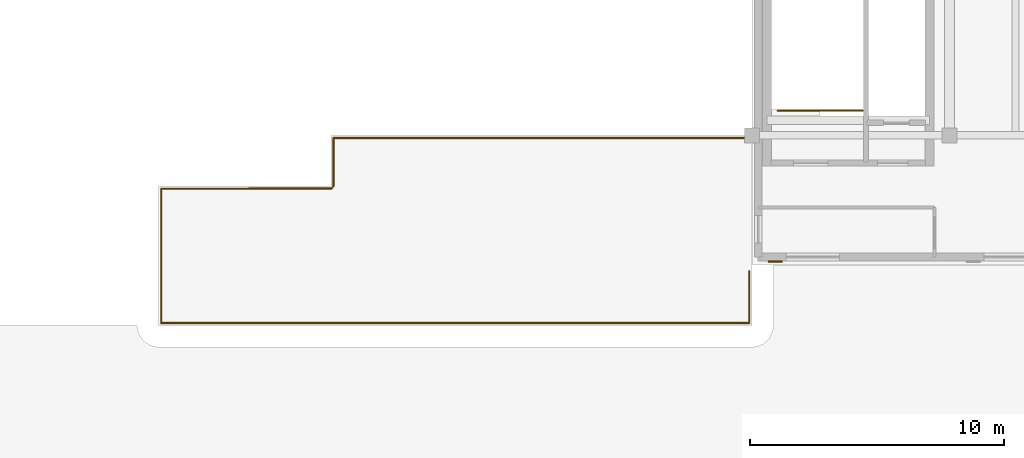
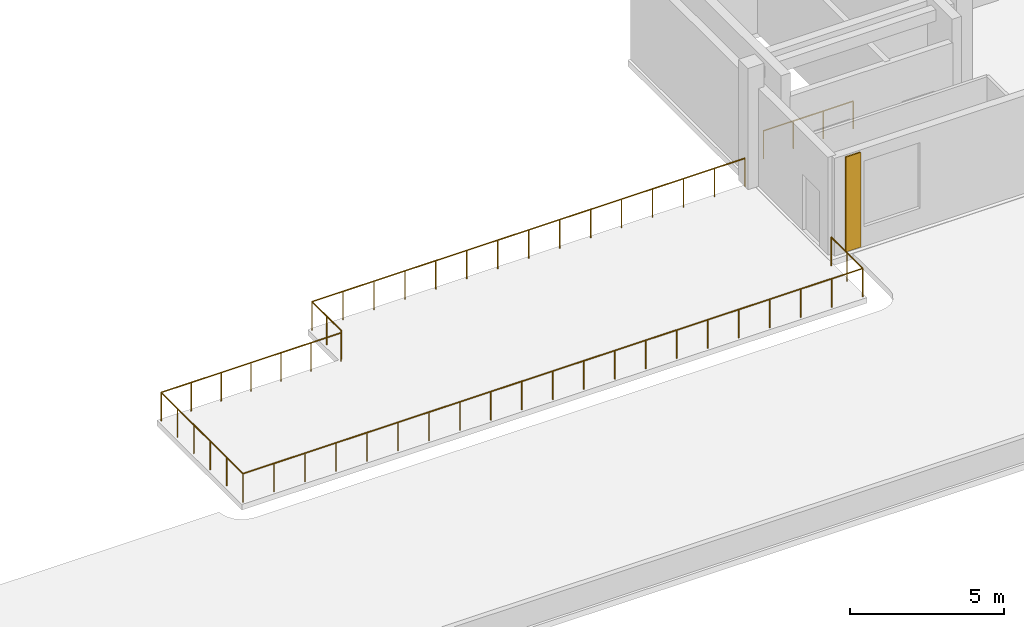
# One storey, part 66 of 69: 3 railings, 1 covering.
"""IFC4 building model written with IfcOpenShell, lengths in metres."""

from ifc_helpers import new_model, si_unit, direction, frame, origin, origin_2d, place, context, subcontext, project, spatial, rectangle, circle, extrude, material, layer, layer_set, type_object, element, save


model = new_model("IFC4")

# Units and contexts
model_context = context("Model", 3, precision=1e-05, world=origin(), true_north=direction((0.0, 1.0)))
body_context = subcontext(model_context, "Body", "Model", "MODEL_VIEW")
ifc_project = project(units=[si_unit("LENGTHUNIT", "METRE"), si_unit("AREAUNIT", "SQUARE_METRE"), si_unit("VOLUMEUNIT", "CUBIC_METRE"), si_unit("PLANEANGLEUNIT", "RADIAN"), si_unit("MASSUNIT", "GRAM", prefix="KILO")], contexts=[model_context])

# Site, building, storey
site_placement = place(None, origin())
site = spatial("IfcSite", under=ifc_project, at=site_placement, CompositionType="ELEMENT")
building_placement = place(site_placement, origin())
building = spatial("IfcBuilding", under=site, at=building_placement, Name="Pelvatis Terrace Science Centre", CompositionType="ELEMENT")
storey_placement = place(building_placement, frame((0.0, 0.0, 15.0)))
storey = spatial("IfcBuildingStorey", under=building, at=storey_placement, Name="L03", CompositionType="ELEMENT", Elevation=15.0)

# Covering
ifc_material_1 = material(Name="Fluted warm stone-aggregate precast facade relief panel", Category="masonry")
ifc_layer = layer(ifc_material_1, 0.054931640625)
ifc_layer_set = layer_set([ifc_layer], Name="Fluted warm stone-aggregate precast facade relief panel")
covering_type = type_object("IfcCoveringType", Name="COV-CLAD-PREC-55", PredefinedType="CLADDING", material=ifc_layer_set)
covering_placement = place(storey_placement, frame((133.530029296875, 19.02001953125, 0.06005859375), z_axis=(0.0, 0.0, 1.0), x_axis=(1.0, 0.0, 0.0)))
element("IfcCovering", 1, at=covering_placement, inside=storey, type_object=covering_type, Name="Classical fluted stone pilaster strip 59", PredefinedType="CLADDING", context=body_context, shape_type="SweptSolid", body=[
    extrude(rectangle(XDim=0.550048828125, YDim=0.054931640625, at=origin_2d()), origin(), (0.0, 0.0, 1.0), 3.75),
])

# Railings
ifc_material_2 = material(Name="Bronze-anodised aluminium and laminated safety glass balustrade", Category="aluminium")
railing_type_1 = type_object("IfcRailingType", Name="RLG-BAL-1150", PredefinedType="BALUSTRADE", material=ifc_material_2)
railing_1_placement = place(storey_placement, frame((109.300048828125, 21.89990234375, 0.0)))
element("IfcRailing", 2, at=railing_1_placement, inside=storey, type_object=railing_type_1, Name="Outdoor terrace safety balustrade RLG-TER-L03-1", PredefinedType="BALUSTRADE", context=body_context, shape_type="SweptSolid", body=[
    extrude(circle(Radius=0.02392578125, at=origin_2d()), frame((0.0, 0.0, 1.1259765625), z_axis=(0.999999786748, 0.000653072932, 0.0), x_axis=(-0.000653072932, 0.999999786748, 0.0)), (0.0, 0.0, 1.0), 6.72900390625),
    extrude(circle(Radius=0.02392578125, at=origin_2d()), frame((6.72900390625, 0.00439453125, 1.1259765625), z_axis=(0.596059983063, 0.802939908456, 0.0), x_axis=(-0.802939908456, 0.596059983063, 0.0)), (0.0, 0.0, 1.0), 0.119140625),
    extrude(circle(Radius=0.02392578125, at=origin_2d()), frame((6.800048828125, 0.10009765625, 1.1259765625), z_axis=(0.0, 1.0, 0.0), x_axis=(-1.0, 0.0, 0.0)), (0.0, 0.0, 1.0), 1.89990234375),
    extrude(circle(Radius=0.02392578125, at=origin_2d()), frame((6.800048828125, 2.0, 1.1259765625), z_axis=(1.0, 0.0, 0.0), x_axis=(0.0, 1.0, 0.0)), (0.0, 0.0, 1.0), 16.219970703125),
    extrude(circle(Radius=0.02099609375, at=origin_2d()), origin(), (0.0, 0.0, 1.0), 1.101806640625),
    extrude(circle(Radius=0.02099609375, at=origin_2d()), frame((1.12158203125, 0.000732421875, 0.0)), (0.0, 0.0, 1.0), 1.101806640625),
    extrude(circle(Radius=0.02099609375, at=origin_2d()), frame((2.242919921875, 0.00146484375, 0.0)), (0.0, 0.0, 1.0), 1.101806640625),
    extrude(circle(Radius=0.02099609375, at=origin_2d()), frame((3.364501953125, 0.002197265625, 0.0)), (0.0, 0.0, 1.0), 1.101806640625),
    extrude(circle(Radius=0.02099609375, at=origin_2d()), frame((4.486083984375, 0.0029296875, 0.0)), (0.0, 0.0, 1.0), 1.101806640625),
    extrude(circle(Radius=0.02099609375, at=origin_2d()), frame((5.607421875, 0.003662109375, 0.0)), (0.0, 0.0, 1.0), 1.101806640625),
    extrude(circle(Radius=0.02099609375, at=origin_2d()), frame((6.72900390625, 0.00439453125, 0.0)), (0.0, 0.0, 1.0), 1.101806640625),
    extrude(circle(Radius=0.02099609375, at=origin_2d()), frame((6.800048828125, 0.10009765625, 0.0)), (0.0, 0.0, 1.0), 1.101806640625),
    extrude(circle(Radius=0.02099609375, at=origin_2d()), frame((6.800048828125, 1.050048828125, 0.0)), (0.0, 0.0, 1.0), 1.101806640625),
    extrude(circle(Radius=0.02099609375, at=origin_2d()), frame((6.800048828125, 2.0, 0.0)), (0.0, 0.0, 1.0), 1.101806640625),
    extrude(circle(Radius=0.02099609375, at=origin_2d()), frame((7.95849609375, 2.0, 0.0)), (0.0, 0.0, 1.0), 1.101806640625),
    extrude(circle(Radius=0.02099609375, at=origin_2d()), frame((9.1171875, 2.0, 0.0)), (0.0, 0.0, 1.0), 1.101806640625),
    extrude(circle(Radius=0.02099609375, at=origin_2d()), frame((10.27587890625, 2.0, 0.0)), (0.0, 0.0, 1.0), 1.101806640625),
    extrude(circle(Radius=0.02099609375, at=origin_2d()), frame((11.434326171875, 2.0, 0.0)), (0.0, 0.0, 1.0), 1.101806640625),
    extrude(circle(Radius=0.02099609375, at=origin_2d()), frame((12.5927734375, 2.0, 0.0)), (0.0, 0.0, 1.0), 1.101806640625),
    extrude(circle(Radius=0.02099609375, at=origin_2d()), frame((13.75146484375, 2.0, 0.0)), (0.0, 0.0, 1.0), 1.101806640625),
    extrude(circle(Radius=0.02099609375, at=origin_2d()), frame((14.91015625, 2.0, 0.0)), (0.0, 0.0, 1.0), 1.101806640625),
    extrude(circle(Radius=0.02099609375, at=origin_2d()), frame((16.068603515625, 2.0, 0.0)), (0.0, 0.0, 1.0), 1.101806640625),
    extrude(circle(Radius=0.02099609375, at=origin_2d()), frame((17.22705078125, 2.0, 0.0)), (0.0, 0.0, 1.0), 1.101806640625),
    extrude(circle(Radius=0.02099609375, at=origin_2d()), frame((18.3857421875, 2.0, 0.0)), (0.0, 0.0, 1.0), 1.101806640625),
    extrude(circle(Radius=0.02099609375, at=origin_2d()), frame((19.54443359375, 2.0, 0.0)), (0.0, 0.0, 1.0), 1.101806640625),
    extrude(circle(Radius=0.02099609375, at=origin_2d()), frame((20.702880859375, 2.0, 0.0)), (0.0, 0.0, 1.0), 1.101806640625),
    extrude(circle(Radius=0.02099609375, at=origin_2d()), frame((21.861328125, 2.0, 0.0)), (0.0, 0.0, 1.0), 1.101806640625),
    extrude(circle(Radius=0.02099609375, at=origin_2d()), frame((23.02001953125, 2.0, 0.0)), (0.0, 0.0, 1.0), 1.101806640625),
])
railing_2_placement = place(storey_placement, frame((132.494384765625, 18.640869140625, 0.0)))
element("IfcRailing", 3, at=railing_2_placement, inside=storey, type_object=railing_type_1, Name="Outdoor terrace safety balustrade RLG-TER-L03-2", PredefinedType="BALUSTRADE", context=body_context, shape_type="SweptSolid", body=[
    extrude(circle(Radius=0.02392578125, at=origin_2d()), frame((0.0, 0.0, 1.1259765625), z_axis=(0.002631884652, -0.999996536586, 0.0), x_axis=(0.999996536586, 0.002631884652, 0.0)), (0.0, 0.0, 1.0), 2.040771484375),
    extrude(circle(Radius=0.02392578125, at=origin_2d()), frame((0.00537109375, -2.040771484375, 1.1259765625), z_axis=(-1.0, 0.0, 0.0), x_axis=(0.0, -1.0, 0.0)), (0.0, 0.0, 1.0), 23.19970703125),
    extrude(circle(Radius=0.02392578125, at=origin_2d()), frame((-23.1943359375, -2.040771484375, 1.1259765625), z_axis=(0.0, 1.0, 0.0), x_axis=(-1.0, 0.0, 0.0)), (0.0, 0.0, 1.0), 5.2998046875),
    extrude(circle(Radius=0.02099609375, at=origin_2d()), origin(), (0.0, 0.0, 1.0), 1.101806640625),
    extrude(circle(Radius=0.02099609375, at=origin_2d()), frame((0.002685546875, -1.0205078125, 0.0)), (0.0, 0.0, 1.0), 1.101806640625),
    extrude(circle(Radius=0.02099609375, at=origin_2d()), frame((0.00537109375, -2.040771484375, 0.0)), (0.0, 0.0, 1.0), 1.101806640625),
    extrude(circle(Radius=0.02099609375, at=origin_2d()), frame((-1.154541015625, -2.040771484375, 0.0)), (0.0, 0.0, 1.0), 1.101806640625),
    extrude(circle(Radius=0.02099609375, at=origin_2d()), frame((-2.314697265625, -2.040771484375, 0.0)), (0.0, 0.0, 1.0), 1.101806640625),
    extrude(circle(Radius=0.02099609375, at=origin_2d()), frame((-3.474609375, -2.040771484375, 0.0)), (0.0, 0.0, 1.0), 1.101806640625),
    extrude(circle(Radius=0.02099609375, at=origin_2d()), frame((-4.634521484375, -2.040771484375, 0.0)), (0.0, 0.0, 1.0), 1.101806640625),
    extrude(circle(Radius=0.02099609375, at=origin_2d()), frame((-5.79443359375, -2.040771484375, 0.0)), (0.0, 0.0, 1.0), 1.101806640625),
    extrude(circle(Radius=0.02099609375, at=origin_2d()), frame((-6.95458984375, -2.040771484375, 0.0)), (0.0, 0.0, 1.0), 1.101806640625),
    extrude(circle(Radius=0.02099609375, at=origin_2d()), frame((-8.114501953125, -2.040771484375, 0.0)), (0.0, 0.0, 1.0), 1.101806640625),
    extrude(circle(Radius=0.02099609375, at=origin_2d()), frame((-9.2744140625, -2.040771484375, 0.0)), (0.0, 0.0, 1.0), 1.101806640625),
    extrude(circle(Radius=0.02099609375, at=origin_2d()), frame((-10.4345703125, -2.040771484375, 0.0)), (0.0, 0.0, 1.0), 1.101806640625),
    extrude(circle(Radius=0.02099609375, at=origin_2d()), frame((-11.594482421875, -2.040771484375, 0.0)), (0.0, 0.0, 1.0), 1.101806640625),
    extrude(circle(Radius=0.02099609375, at=origin_2d()), frame((-12.75439453125, -2.040771484375, 0.0)), (0.0, 0.0, 1.0), 1.101806640625),
    extrude(circle(Radius=0.02099609375, at=origin_2d()), frame((-13.91455078125, -2.040771484375, 0.0)), (0.0, 0.0, 1.0), 1.101806640625),
    extrude(circle(Radius=0.02099609375, at=origin_2d()), frame((-15.074462890625, -2.040771484375, 0.0)), (0.0, 0.0, 1.0), 1.101806640625),
    extrude(circle(Radius=0.02099609375, at=origin_2d()), frame((-16.234375, -2.040771484375, 0.0)), (0.0, 0.0, 1.0), 1.101806640625),
    extrude(circle(Radius=0.02099609375, at=origin_2d()), frame((-17.39453125, -2.040771484375, 0.0)), (0.0, 0.0, 1.0), 1.101806640625),
    extrude(circle(Radius=0.02099609375, at=origin_2d()), frame((-18.554443359375, -2.040771484375, 0.0)), (0.0, 0.0, 1.0), 1.101806640625),
    extrude(circle(Radius=0.02099609375, at=origin_2d()), frame((-19.71435546875, -2.040771484375, 0.0)), (0.0, 0.0, 1.0), 1.101806640625),
    extrude(circle(Radius=0.02099609375, at=origin_2d()), frame((-20.874267578125, -2.040771484375, 0.0)), (0.0, 0.0, 1.0), 1.101806640625),
    extrude(circle(Radius=0.02099609375, at=origin_2d()), frame((-22.034423828125, -2.040771484375, 0.0)), (0.0, 0.0, 1.0), 1.101806640625),
    extrude(circle(Radius=0.02099609375, at=origin_2d()), frame((-23.1943359375, -2.040771484375, 0.0)), (0.0, 0.0, 1.0), 1.101806640625),
    extrude(circle(Radius=0.02099609375, at=origin_2d()), frame((-23.1943359375, -0.980712890625, 0.0)), (0.0, 0.0, 1.0), 1.101806640625),
    extrude(circle(Radius=0.02099609375, at=origin_2d()), frame((-23.1943359375, 0.0791015625, 0.0)), (0.0, 0.0, 1.0), 1.101806640625),
    extrude(circle(Radius=0.02099609375, at=origin_2d()), frame((-23.1943359375, 1.13916015625, 0.0)), (0.0, 0.0, 1.0), 1.101806640625),
    extrude(circle(Radius=0.02099609375, at=origin_2d()), frame((-23.1943359375, 2.198974609375, 0.0)), (0.0, 0.0, 1.0), 1.101806640625),
    extrude(circle(Radius=0.02099609375, at=origin_2d()), frame((-23.1943359375, 3.259033203125, 0.0)), (0.0, 0.0, 1.0), 1.101806640625),
])
ifc_material_3 = material(Name="Brushed architectural bronze tubular railing", Category="steel")
railing_type_2 = type_object("IfcRailingType", Name="RLG-GRD-1120", PredefinedType="GUARDRAIL", material=ifc_material_3)
railing_3_placement = place(storey_placement, frame((133.6201171875, 24.97998046875, 0.0)))
element("IfcRailing", 4, at=railing_3_placement, inside=storey, type_object=railing_type_2, Name="Core C4 top-storey stair well guard", PredefinedType="GUARDRAIL", context=body_context, shape_type="SweptSolid", body=[
    extrude(circle(Radius=0.02392578125, at=origin_2d()), frame((0.0, 0.0, 1.09619140625), z_axis=(1.0, 0.0, 0.0), x_axis=(0.0, 1.0, 0.0)), (0.0, 0.0, 1.0), 3.35986328125),
    extrude(circle(Radius=0.02099609375, at=origin_2d()), origin(), (0.0, 0.0, 1.0), 1.072021484375),
    extrude(circle(Radius=0.02099609375, at=origin_2d()), frame((1.119873046875, 0.0, 0.0)), (0.0, 0.0, 1.0), 1.072021484375),
    extrude(circle(Radius=0.02099609375, at=origin_2d()), frame((2.239990234375, 0.0, 0.0)), (0.0, 0.0, 1.0), 1.072021484375),
    extrude(circle(Radius=0.02099609375, at=origin_2d()), frame((3.35986328125, 0.0, 0.0)), (0.0, 0.0, 1.0), 1.072021484375),
])

save(model, "model.ifc")
